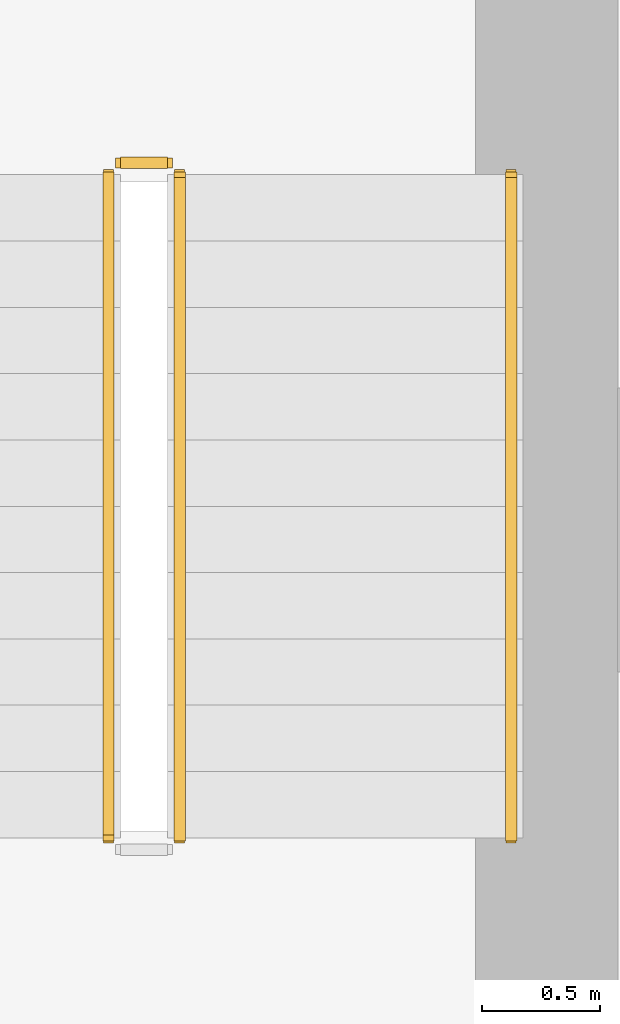
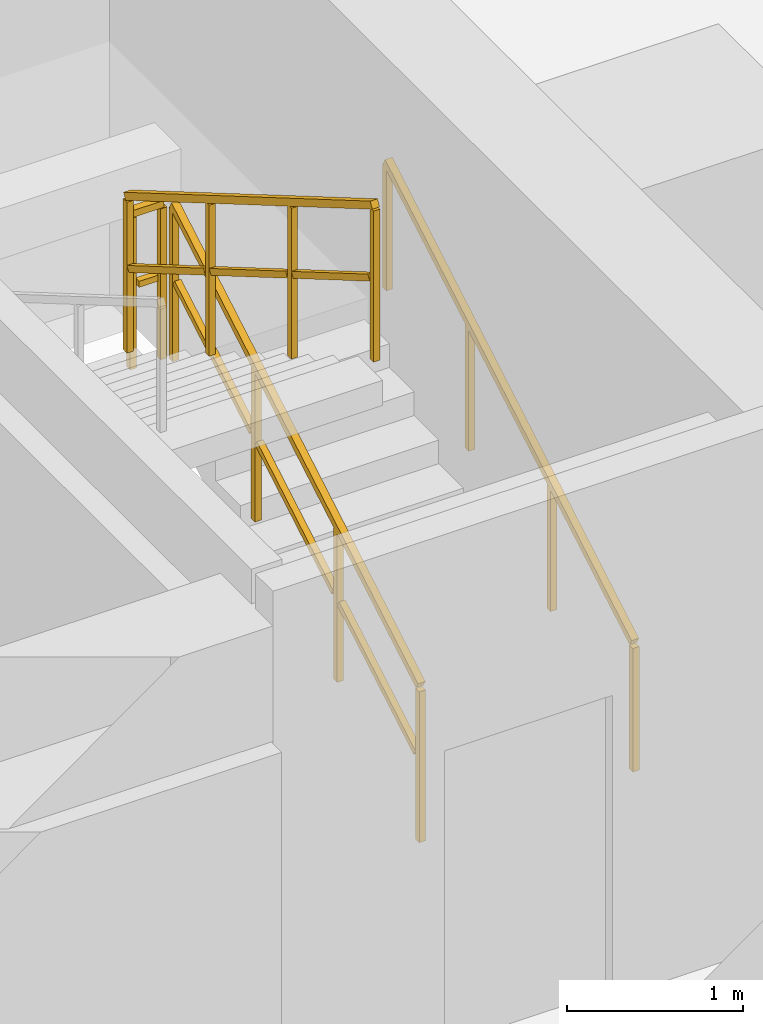
# One storey, part 33 of 33: 4 railings.
"""IFC4 building model written with IfcOpenShell, lengths in metres."""

from ifc_helpers import new_model, si_unit, direction, frame, origin, origin_2d, place, context, subcontext, project, spatial, rectangle, extrude, material, type_object, element, save


model = new_model("IFC4")

# Units and contexts
model_context = context("Model", 3, precision=1e-05, world=origin(), true_north=direction((0.0, 1.0)))
body_context = subcontext(model_context, "Body", "Model", "MODEL_VIEW")
ifc_project = project(units=[si_unit("LENGTHUNIT", "METRE"), si_unit("AREAUNIT", "SQUARE_METRE"), si_unit("VOLUMEUNIT", "CUBIC_METRE"), si_unit("PLANEANGLEUNIT", "RADIAN"), si_unit("MASSUNIT", "GRAM", prefix="KILO")], contexts=[model_context])

# Site, building, storey
site_placement = place(None, origin())
site = spatial("IfcSite", under=ifc_project, at=site_placement, CompositionType="ELEMENT")
building_placement = place(site_placement, origin())
building = spatial("IfcBuilding", under=site, at=building_placement, Name="Thornwick Lancets Civic Towers", CompositionType="ELEMENT")
storey_placement = place(building_placement, frame((0.0, 0.0, 108.89990234375)))
storey = spatial("IfcBuildingStorey", under=building, at=storey_placement, Name="L28", CompositionType="ELEMENT", Elevation=108.89990234375)

# Railings
ifc_material_1 = material(Name="Brushed stainless steel S355", Category="steel")
railing_type_1 = type_object("IfcRailingType", Name="RAIL_HANDRAIL", PredefinedType="HANDRAIL", material=ifc_material_1)
railing_1_placement = place(storey_placement, frame((100.449951171875, 20.89990234375, 0.163818359375)))
element("IfcRailing", 1, at=railing_1_placement, inside=storey, type_object=railing_type_1, Name="L28 ST-B1 stair handrail 1", PredefinedType="HANDRAIL", context=body_context, shape_type="SweptSolid", body=[
    extrude(rectangle(XDim=0.048095703125, YDim=0.048095703125, at=origin_2d()), frame((0.0, 0.0, 0.8857421875), z_axis=(0.0, 0.863393664356, 0.504530851732), x_axis=(-1.0, 0.0, 0.0)), (0.0, 0.0, 1.0), 3.2431640625),
    extrude(rectangle(XDim=0.0419921875, YDim=0.0419921875, at=origin_2d()), origin(), (0.0, 0.0, 1.0), 0.855712890625),
    extrude(rectangle(XDim=0.0419921875, YDim=0.0419921875, at=origin_2d()), frame((0.0, 0.933349609375, 0.54541015625)), (0.0, 0.0, 1.0), 0.855712890625),
    extrude(rectangle(XDim=0.0419921875, YDim=0.0419921875, at=origin_2d()), frame((0.0, 1.86669921875, 1.0908203125)), (0.0, 0.0, 1.0), 0.855712890625),
    extrude(rectangle(XDim=0.0419921875, YDim=0.0419921875, at=origin_2d()), frame((0.0, 2.800048828125, 1.63623046875)), (0.0, 0.0, 1.0), 0.855712890625),
])
ifc_material_2 = material(Name="Steel S355JR", Category="steel")
railing_type_2 = type_object("IfcRailingType", Name="RAIL_STAIR_GUARD", PredefinedType="GUARDRAIL", material=ifc_material_2)
railing_2_placement = place(storey_placement, frame((99.050048828125, 20.89990234375, 0.163818359375)))
element("IfcRailing", 2, at=railing_2_placement, inside=storey, type_object=railing_type_2, Name="L28 ST-B1 stair guard 1", PredefinedType="GUARDRAIL", context=body_context, shape_type="SweptSolid", body=[
    extrude(rectangle(XDim=0.048095703125, YDim=0.048095703125, at=origin_2d()), frame((0.0, 0.0, 1.076171875), z_axis=(0.0, 0.863393664356, 0.504530851732), x_axis=(-1.0, 0.0, 0.0)), (0.0, 0.0, 1.0), 3.2431640625),
    extrude(rectangle(XDim=0.0419921875, YDim=0.0419921875, at=origin_2d()), frame((0.0, 0.032470703125, 0.591064453125), z_axis=(0.0, 0.863393664356, 0.504530851732), x_axis=(-1.0, 0.0, 0.0)), (0.0, 0.0, 1.0), 1.006103515625),
    extrude(rectangle(XDim=0.0419921875, YDim=0.0419921875, at=origin_2d()), frame((0.0, 0.9658203125, 1.136474609375), z_axis=(0.0, 0.863393664356, 0.504530851732), x_axis=(-1.0, 0.0, 0.0)), (0.0, 0.0, 1.0), 1.006103515625),
    extrude(rectangle(XDim=0.0419921875, YDim=0.0419921875, at=origin_2d()), frame((0.0, 1.899169921875, 1.681884765625), z_axis=(0.0, 0.863393664356, 0.504530851732), x_axis=(-1.0, 0.0, 0.0)), (0.0, 0.0, 1.0), 1.006103515625),
    extrude(rectangle(XDim=0.0419921875, YDim=0.0419921875, at=origin_2d()), origin(), (0.0, 0.0, 1.0), 1.0458984375),
    extrude(rectangle(XDim=0.0419921875, YDim=0.0419921875, at=origin_2d()), frame((0.0, 0.933349609375, 0.54541015625)), (0.0, 0.0, 1.0), 1.0458984375),
    extrude(rectangle(XDim=0.0419921875, YDim=0.0419921875, at=origin_2d()), frame((0.0, 1.86669921875, 1.0908203125)), (0.0, 0.0, 1.0), 1.0458984375),
    extrude(rectangle(XDim=0.0419921875, YDim=0.0419921875, at=origin_2d()), frame((0.0, 2.800048828125, 1.63623046875)), (0.0, 0.0, 1.0), 1.0458984375),
])
railing_3_placement = place(storey_placement, frame((99.0, 23.75, 1.800048828125)))
element("IfcRailing", 3, at=railing_3_placement, inside=storey, type_object=railing_type_2, Name="L28 ST-B1 stair guard 2", PredefinedType="GUARDRAIL", context=body_context, shape_type="SweptSolid", body=[
    extrude(rectangle(XDim=0.048095703125, YDim=0.048095703125, at=origin_2d()), frame((0.0, 0.0, 1.076171875), z_axis=(-1.0, 0.0, 0.0), x_axis=(0.0, -1.0, 0.0)), (0.0, 0.0, 1.0), 0.199951171875),
    extrude(rectangle(XDim=0.0419921875, YDim=0.0419921875, at=origin_2d()), frame((-0.03759765625, 0.0, 0.572021484375), z_axis=(-1.0, 0.0, 0.0), x_axis=(0.0, -1.0, 0.0)), (0.0, 0.0, 1.0), 0.125),
    extrude(rectangle(XDim=0.0419921875, YDim=0.0419921875, at=origin_2d()), origin(), (0.0, 0.0, 1.0), 1.0458984375),
    extrude(rectangle(XDim=0.0419921875, YDim=0.0419921875, at=origin_2d()), frame((-0.199951171875, 0.0, 0.0)), (0.0, 0.0, 1.0), 1.0458984375),
])
railing_4_placement = place(storey_placement, frame((98.75, 23.699951171875, 1.963623046875)))
element("IfcRailing", 4, at=railing_4_placement, inside=storey, type_object=railing_type_2, Name="L28 ST-B1 stair guard 3", PredefinedType="GUARDRAIL", context=body_context, shape_type="SweptSolid", body=[
    extrude(rectangle(XDim=0.048095703125, YDim=0.048095703125, at=origin_2d()), frame((0.0, 0.0, 1.076171875), z_axis=(0.0, -0.863360870873, 0.504586966384), x_axis=(1.0, 0.0, 0.0)), (0.0, 0.0, 1.0), 3.2431640625),
    extrude(rectangle(XDim=0.0419921875, YDim=0.0419921875, at=origin_2d()), frame((0.0, -0.032470703125, 0.591064453125), z_axis=(0.0, -0.863360870873, 0.504586966384), x_axis=(1.0, 0.0, 0.0)), (0.0, 0.0, 1.0), 1.006103515625),
    extrude(rectangle(XDim=0.0419921875, YDim=0.0419921875, at=origin_2d()), frame((0.0, -0.9658203125, 1.136474609375), z_axis=(0.0, -0.863360870873, 0.504586966384), x_axis=(1.0, 0.0, 0.0)), (0.0, 0.0, 1.0), 1.006103515625),
    extrude(rectangle(XDim=0.0419921875, YDim=0.0419921875, at=origin_2d()), frame((0.0, -1.899169921875, 1.681884765625), z_axis=(0.0, -0.863360870873, 0.504586966384), x_axis=(1.0, 0.0, 0.0)), (0.0, 0.0, 1.0), 1.006103515625),
    extrude(rectangle(XDim=0.0419921875, YDim=0.0419921875, at=origin_2d()), origin(), (0.0, 0.0, 1.0), 1.0458984375),
    extrude(rectangle(XDim=0.0419921875, YDim=0.0419921875, at=origin_2d()), frame((0.0, -0.933349609375, 0.54541015625)), (0.0, 0.0, 1.0), 1.0458984375),
    extrude(rectangle(XDim=0.0419921875, YDim=0.0419921875, at=origin_2d()), frame((0.0, -1.86669921875, 1.091064453125)), (0.0, 0.0, 1.0), 1.0458984375),
    extrude(rectangle(XDim=0.0419921875, YDim=0.0419921875, at=origin_2d()), frame((0.0, -2.800048828125, 1.636474609375)), (0.0, 0.0, 1.0), 1.0458984375),
])

save(model, "model.ifc")
